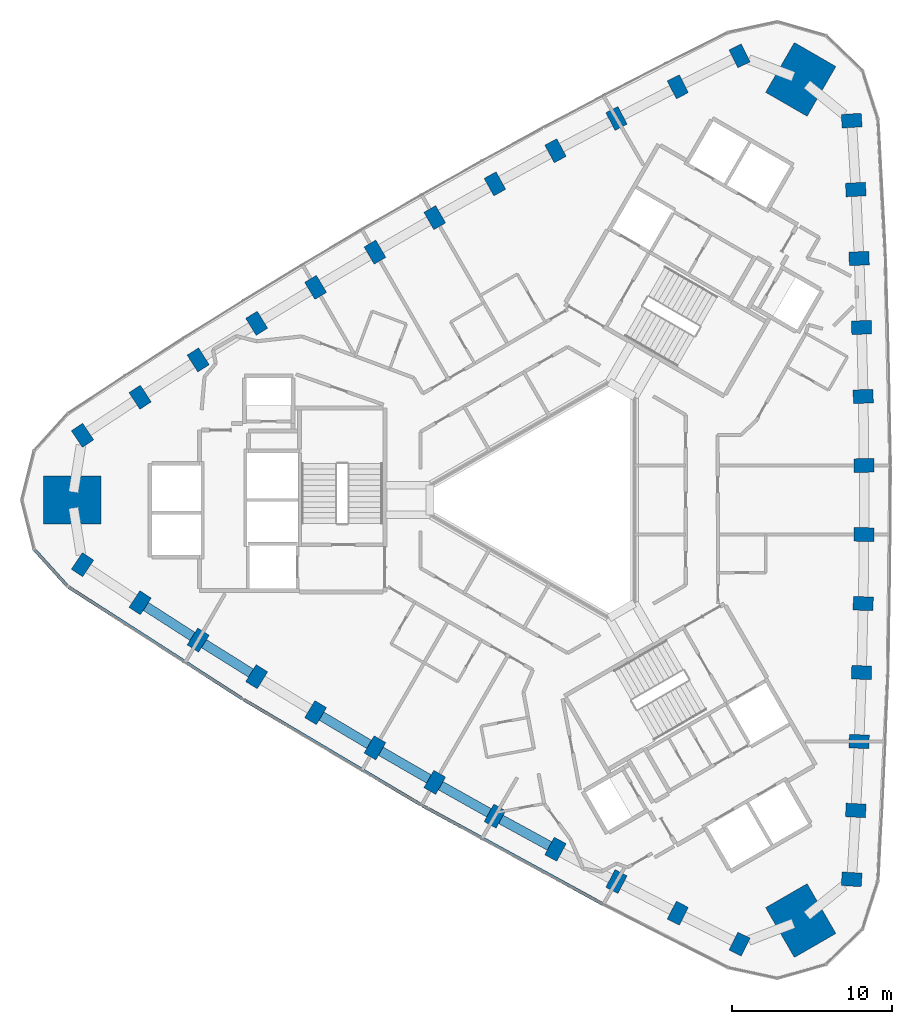
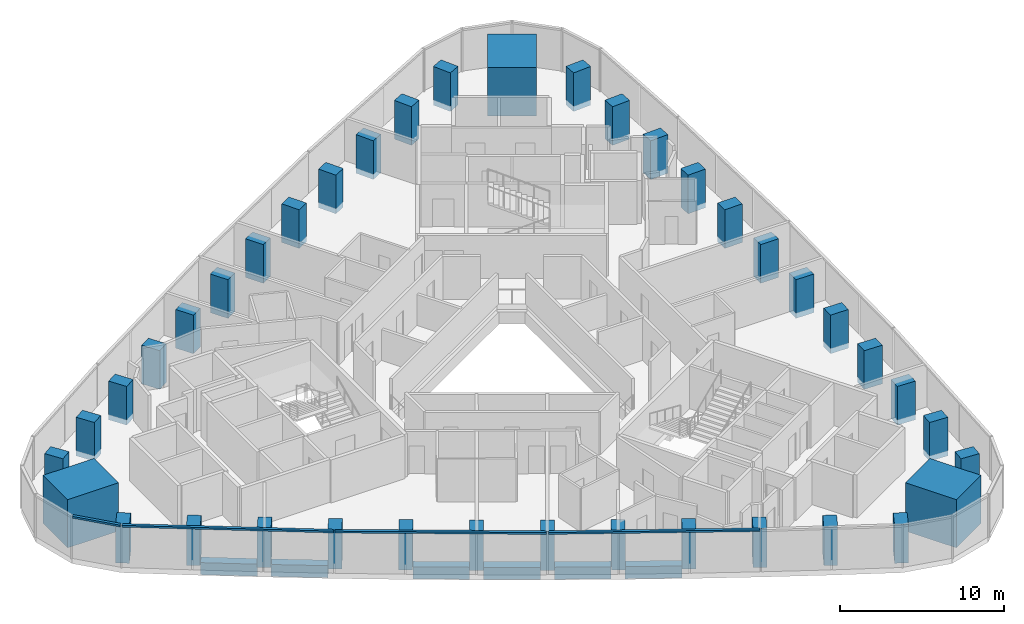
# One storey, part 1 of 13: 39 columns, 6 beams, 4 members, 2 elements without a shape of their own.
"""IFC4 building model written with IfcOpenShell, lengths in metres."""

from ifc_helpers import new_model, si_unit, direction, frame, origin, origin_2d, place, context, subcontext, project, spatial, rectangle, extrude, material, material_profile, profile_set, type_object, element, aggregate, save


model = new_model("IFC4")

# Units and contexts
model_context = context("Model", 3, precision=1e-05, world=origin(), true_north=direction((0.0, 1.0)))
body_context = subcontext(model_context, "Body", "Model", "MODEL_VIEW")
ifc_project = project(units=[si_unit("LENGTHUNIT", "METRE"), si_unit("AREAUNIT", "SQUARE_METRE"), si_unit("VOLUMEUNIT", "CUBIC_METRE"), si_unit("PLANEANGLEUNIT", "RADIAN"), si_unit("MASSUNIT", "GRAM", prefix="KILO")], contexts=[model_context])

# Site, building, storey
site_placement = place(None, origin())
site = spatial("IfcSite", under=ifc_project, at=site_placement, CompositionType="ELEMENT")
building_placement = place(site_placement, origin())
building = spatial("IfcBuilding", under=site, at=building_placement, Name="Tamra Quay Hotel Tower", CompositionType="ELEMENT")
storey_placement = place(building_placement, frame((0.0, 0.0, 161.199951171875)))
storey = spatial("IfcBuildingStorey", under=building, at=storey_placement, Name="L40", CompositionType="ELEMENT", Elevation=161.199951171875)

# Columns
ifc_material_1 = material(Name="Concrete M70", Category="concrete")
ifc_material_profile_1 = material_profile(ifc_material_1, rectangle(XDim=1.25, YDim=0.85009765625, at=origin_2d()), Name="COLUMN RC 850x1250 Z3")
ifc_profile_set_1 = profile_set([ifc_material_profile_1], Name="Concrete M70")
column_type_1 = type_object("IfcColumnType", Name="COLUMN RC 850x1250 Z3", PredefinedType="COLUMN", material=ifc_profile_set_1)
for number, where, z_axis, x_axis, name in (
    (1, (18.396728515625, -23.757080078125, -0.39990234375), (0.0, 0.0, 1.0), (-0.997857895766, 0.065418803553, 0.0), "COL-C3E01-L40"),
    (2, (18.654541015625, -19.4423828125, -0.39990234375), (0.0, 0.0, 1.0), (-0.998562324173, 0.053603029218, 0.0), "COL-C3E02-L40"),
    (3, (18.86083984375, -15.124267578125, -0.39990234375), (0.0, 0.0, 1.0), (-0.999109109653, 0.042201741775, 0.0), "COL-C3E03-L40"),
    (4, (19.015869140625, -10.8046875, -0.39990234375), (0.0, 0.0, 1.0), (-0.99955268585, 0.029906992649, 0.0), "COL-C3E04-L40"),
    (5, (19.119140625, -6.483642578125, -0.39990234375), (0.0, 0.0, 1.0), (-0.999845156469, 0.017597246518, 0.0), "COL-C3E05-L40"),
    (6, (19.1708984375, -2.1611328125, -0.39990234375), (0.0, 0.0, 1.0), (-0.999981031775, 0.006159227987, 0.0), "COL-C3E06-L40"),
    (7, (19.1708984375, 2.1611328125, -0.39990234375), (0.0, 0.0, 1.0), (0.999981031775, 0.006159227987, 0.0), "COL-C3E07-L40"),
    (8, (19.119140625, 6.483642578125, -0.39990234375), (0.0, 0.0, 1.0), (0.999845156469, 0.017597246518, 0.0), "COL-C3E08-L40"),
    (9, (19.015869140625, 10.8046875, -0.39990234375), (0.0, 0.0, 1.0), (0.99955268585, 0.029906992649, 0.0), "COL-C3E09-L40"),
    (10, (18.86083984375, 15.124267578125, -0.39990234375), (0.0, 0.0, 1.0), (0.999109109653, 0.042201741775, 0.0), "COL-C3E10-L40"),
    (11, (18.654541015625, 19.4423828125, -0.39990234375), (0.0, 0.0, 1.0), (0.998562324173, 0.053603029218, 0.0), "COL-C3E11-L40"),
    (12, (18.396728515625, 23.757080078125, -0.39990234375), (0.0, 0.0, 1.0), (0.997857895766, 0.065418803553, 0.0), "COL-C3E12-L40"),
    (13, (11.3759765625, 27.810546875, -0.39990234375), (0.0, 0.0, 1.0), (-0.44227460212, 0.896879688877, 0.0), "COL-C3NW01-L40"),
    (14, (7.51025390625, 25.87646484375, -0.39990234375), (0.0, 0.0, 1.0), (-0.452859577064, 0.891581854605, 0.0), "COL-C3NW02-L40"),
    (15, (3.66748046875, 23.896240234375, -0.39990234375), (0.0, 0.0, 1.0), (-0.463006774365, 0.886354740999, 0.0), "COL-C3NW03-L40"),
    (16, (-0.150634765625, 21.87060546875, -0.39990234375), (0.0, 0.0, 1.0), (-0.47387612754, 0.880591514692, 0.0), "COL-C3NW04-L40"),
    (17, (-3.944580078125, 19.799560546875, -0.39990234375), (0.0, 0.0, 1.0), (-0.484682915713, 0.874689928612, 0.0), "COL-C3NW05-L40"),
    (18, (-7.7138671875, 17.68310546875, -0.39990234375), (0.0, 0.0, 1.0), (-0.494656467983, 0.869088590813, 0.0), "COL-C3NW06-L40"),
    (19, (-11.45703125, 15.521728515625, -0.39990234375), (0.0, 0.0, 1.0), (-0.505324563792, 0.862929362827, 0.0), "COL-C3NW07-L40"),
    (20, (-15.174560546875, 13.31591796875, -0.39990234375), (0.0, 0.0, 1.0), (-0.515162240756, 0.857092682094, 0.0), "COL-C3NW08-L40"),
    (21, (-18.864990234375, 11.06591796875, -0.39990234375), (0.0, 0.0, 1.0), (-0.52567655831, 0.850684522043, 0.0), "COL-C3NW09-L40"),
    (22, (-22.528564453125, 8.771728515625, -0.39990234375), (0.0, 0.0, 1.0), (-0.536102335288, 0.844152999224, 0.0), "COL-C3NW10-L40"),
    (23, (-26.164794921875, 6.43408203125, -0.39990234375), (0.0, 0.0, 1.0), (-0.545702747109, 0.837978825387, 0.0), "COL-C3NW11-L40"),
    (24, (-29.772705078125, 4.053466796875, -0.39990234375), (0.0, 0.0, 1.0), (-0.555583293645, 0.831460885323, 0.0), "COL-C3NW12-L40"),
    (25, (-29.772705078125, -4.053466796875, -0.39990234375), (0.0, 0.0, 1.0), (0.555583293645, 0.831460885323, 0.0), "COL-C3SW01-L40"),
    (26, (-26.164794921875, -6.43408203125, -0.39990234375), (0.0, 0.0, 1.0), (0.545702747109, 0.837978825387, 0.0), "COL-C3SW02-L40"),
    (27, (-22.528564453125, -8.771728515625, -0.39990234375), (0.0, 0.0, 1.0), (0.536102335288, 0.844152999224, 0.0), "COL-C3SW03-L40"),
    (28, (-18.864990234375, -11.06591796875, -0.39990234375), (0.0, 0.0, 1.0), (0.52567655831, 0.850684522043, 0.0), "COL-C3SW04-L40"),
    (29, (-15.174560546875, -13.31591796875, -0.39990234375), (0.0, 0.0, 1.0), (0.515162240756, 0.857092682094, 0.0), "COL-C3SW05-L40"),
    (30, (-11.45703125, -15.521728515625, -0.39990234375), (0.0, 0.0, 1.0), (0.505324563792, 0.862929362827, 0.0), "COL-C3SW06-L40"),
    (31, (-7.7138671875, -17.68310546875, -0.39990234375), (0.0, 0.0, 1.0), (0.494656467983, 0.869088590813, 0.0), "COL-C3SW07-L40"),
    (32, (-3.944580078125, -19.799560546875, -0.39990234375), (0.0, 0.0, 1.0), (0.484682915713, 0.874689928612, 0.0), "COL-C3SW08-L40"),
    (33, (-0.150634765625, -21.87060546875, -0.39990234375), (0.0, 0.0, 1.0), (0.47387612754, 0.880591514692, 0.0), "COL-C3SW09-L40"),
    (34, (3.66748046875, -23.896240234375, -0.39990234375), (0.0, 0.0, 1.0), (0.463006774365, 0.886354740999, 0.0), "COL-C3SW10-L40"),
    (35, (7.51025390625, -25.87646484375, -0.39990234375), (0.0, 0.0, 1.0), (0.452859577064, 0.891581854605, 0.0), "COL-C3SW11-L40"),
    (36, (11.3759765625, -27.810546875, -0.39990234375), (0.0, 0.0, 1.0), (0.44227460212, 0.896879688877, 0.0), "COL-C3SW12-L40"),
):
    element("IfcColumn", number, at=place(storey_placement, frame(where, z_axis=z_axis, x_axis=x_axis)), inside=storey, type_object=column_type_1, Name=name, PredefinedType="COLUMN", context=body_context, shape_type="SweptSolid", body=[
        extrude(rectangle(XDim=1.25, YDim=0.85009765625, at=origin_2d()), origin(), (0.0, 0.0, 1.0), 2.884033203125),
    ])
ifc_material_profile_2 = material_profile(ifc_material_1, rectangle(XDim=3.60009765625, YDim=3.0, at=origin_2d()), Name="MEGA COLUMN RC 3000x3600 Z3")
ifc_profile_set_2 = profile_set([ifc_material_profile_2], Name="Concrete M70")
column_type_2 = type_object("IfcColumnType", Name="MEGA COLUMN RC 3000x3600 Z3", PredefinedType="COLUMN", material=ifc_profile_set_2)
for number, where, z_axis, x_axis, name in (
    (37, (15.20703125, 26.339599609375, -0.39990234375), (0.0, 0.0, 1.0), (0.5, 0.866025403784, 0.0), "COL-M3NE-L40"),
    (38, (-30.414306640625, 0.0, -0.39990234375), (0.0, 0.0, 1.0), (1.0, 0.0, 0.0), "COL-M3W-L40"),
    (39, (15.20703125, -26.339599609375, -0.39990234375), (0.0, 0.0, 1.0), (-0.5, 0.866025403784, 0.0), "COL-M3SE-L40"),
):
    element("IfcColumn", number, at=place(storey_placement, frame(where, z_axis=z_axis, x_axis=x_axis)), inside=storey, type_object=column_type_2, Name=name, PredefinedType="COLUMN", context=body_context, shape_type="SweptSolid", body=[
        extrude(rectangle(XDim=3.60009765625, YDim=3.0, at=origin_2d()), origin(), (0.0, 0.0, 1.0), 3.599853515625),
    ])

# Beams
ifc_material_2 = material(Name="Concrete M60", Category="concrete")
ifc_material_profile_3 = material_profile(ifc_material_2, rectangle(XDim=0.60009765625, YDim=0.89990234375, at=origin_2d()), Name="SPANDREL BEAM RC 600x900")
ifc_profile_set_3 = profile_set([ifc_material_profile_3], Name="Concrete M60")
beam_type = type_object("IfcBeamType", Name="SPANDREL BEAM RC 600x900", PredefinedType="SPANDREL", material=ifc_profile_set_3)
beam_1_placement = place(storey_placement, frame((-25.807373046875, -6.663818359375, -0.849853515625), z_axis=(0.84116020305, -0.540786013878, 0.0), x_axis=(0.540786013878, 0.84116020305, 0.0)))
element("IfcBeam", 40, at=beam_1_placement, inside=storey, type_object=beam_type, Name="BM-SP3-027-L40", PredefinedType="SPANDREL", context=body_context, shape_type="SweptSolid", body=[
    extrude(rectangle(XDim=0.60009765625, YDim=0.89990234375, at=origin_2d()), origin(), (0.0, 0.0, 1.0), 3.47314453125),
])
beam_2_placement = place(storey_placement, frame((-22.168212890625, -8.997314453125, -0.849853515625), z_axis=(0.847547681474, -0.530719255, 0.0), x_axis=(0.530719255, 0.847547681474, 0.0)))
element("IfcBeam", 41, at=beam_2_placement, inside=storey, type_object=beam_type, Name="BM-SP3-028-L40", PredefinedType="SPANDREL", context=body_context, shape_type="SweptSolid", body=[
    extrude(rectangle(XDim=0.60009765625, YDim=0.89990234375, at=origin_2d()), origin(), (0.0, 0.0, 1.0), 3.47216796875),
])
beam_3_placement = place(storey_placement, frame((-14.80908203125, -13.53271484375, -0.849853515625), z_axis=(0.859988767784, -0.510312962098, 0.0), x_axis=(0.510312962098, 0.859988767784, 0.0)))
element("IfcBeam", 42, at=beam_3_placement, inside=storey, type_object=beam_type, Name="BM-SP3-030-L40", PredefinedType="SPANDREL", context=body_context, shape_type="SweptSolid", body=[
    extrude(rectangle(XDim=0.60009765625, YDim=0.89990234375, at=origin_2d()), origin(), (0.0, 0.0, 1.0), 3.472900390625),
])
beam_4_placement = place(storey_placement, frame((-11.0888671875, -15.734375, -0.849853515625), z_axis=(0.866032201241, -0.499988226275, 0.0), x_axis=(0.499988226275, 0.866032201241, 0.0)))
element("IfcBeam", 43, at=beam_4_placement, inside=storey, type_object=beam_type, Name="BM-SP3-031-L40", PredefinedType="SPANDREL", context=body_context, shape_type="SweptSolid", body=[
    extrude(rectangle(XDim=0.60009765625, YDim=0.89990234375, at=origin_2d()), origin(), (0.0, 0.0, 1.0), 3.47216796875),
])
beam_5_placement = place(storey_placement, frame((-7.34326171875, -17.89111328125, -0.849853515625), z_axis=(0.871956406858, -0.489583521516, 0.0), x_axis=(0.489583521516, 0.871956406858, 0.0)))
element("IfcBeam", 44, at=beam_5_placement, inside=storey, type_object=beam_type, Name="BM-SP3-032-L40", PredefinedType="SPANDREL", context=body_context, shape_type="SweptSolid", body=[
    extrude(rectangle(XDim=0.60009765625, YDim=0.89990234375, at=origin_2d()), origin(), (0.0, 0.0, 1.0), 3.47265625),
])
beam_6_placement = place(storey_placement, frame((-3.571533203125, -20.003173828125, -0.849853515625), z_axis=(0.877731617539, -0.479152593202, 0.0), x_axis=(0.479152593202, 0.877731617539, 0.0)))
element("IfcBeam", 45, at=beam_6_placement, inside=storey, type_object=beam_type, Name="BM-SP3-033-L40", PredefinedType="SPANDREL", context=body_context, shape_type="SweptSolid", body=[
    extrude(rectangle(XDim=0.60009765625, YDim=0.89990234375, at=origin_2d()), origin(), (0.0, 0.0, 1.0), 3.472412109375),
])

# Curtain wall, member
ifc_material_3 = material(Name="Aluminium 6063 anodised dark grey", Category="aluminium")
curtain_wall_type_1 = type_object("IfcCurtainWallType", Name="CW2 CURTAIN WALL", PredefinedType="NOTDEFINED", material=ifc_material_3)
curtain_wall_1_placement = place(storey_placement, origin())
curtain_wall_1 = element("IfcCurtainWall", 46, at=curtain_wall_1_placement, inside=storey, type_object=curtain_wall_type_1, Name="CW2 north-west face L40", PredefinedType="NOTDEFINED")
ifc_material_profile_4 = material_profile(ifc_material_3, rectangle(XDim=0.199951171875, YDim=0.139892578125, at=origin_2d()), Name="TRANSOM 200X140")
ifc_profile_set_4 = profile_set([ifc_material_profile_4], Name="Aluminium 6063 anodised dark grey")
member_type_1 = type_object("IfcMemberType", Name="TRANSOM CW2 Z3", PredefinedType="USERDEFINED", material=ifc_profile_set_4)
member_1_placement = place(storey_placement, frame((-32.784423828125, -3.1123046875, 3.130126953125), z_axis=(0.671548073699, -0.740960987307, 0.0), x_axis=(0.740960987307, 0.671548073699, 0.0)))
member_1 = element("IfcMember", 47, at=member_1_placement, type_object=member_type_1, Name="CW2 transom L40.NW.15", ObjectType="TRANSOM", PredefinedType="USERDEFINED", context=body_context, shape_type="SweptSolid", body=[
    extrude(rectangle(XDim=0.199951171875, YDim=0.139892578125, at=origin_2d()), origin(), (0.0, 0.0, 1.0), 3.070556640625),
])
aggregate(curtain_wall_1, [member_1])

# Curtain wall, members
curtain_wall_type_2 = type_object("IfcCurtainWallType", Name="CW3 CURTAIN WALL", PredefinedType="NOTDEFINED", material=ifc_material_3)
curtain_wall_2_placement = place(storey_placement, origin())
curtain_wall_2 = element("IfcCurtainWall", 48, at=curtain_wall_2_placement, inside=storey, type_object=curtain_wall_type_2, Name="CW3 south-west face L40", PredefinedType="NOTDEFINED")
ifc_material_profile_5 = material_profile(ifc_material_3, rectangle(XDim=0.199951171875, YDim=0.139892578125, at=origin_2d()), Name="TRANSOM 200X140")
ifc_profile_set_5 = profile_set([ifc_material_profile_5], Name="Aluminium 6063 anodised dark grey")
member_type_2 = type_object("IfcMemberType", Name="TRANSOM CW3 Z3", PredefinedType="USERDEFINED", material=ifc_profile_set_5)
member_2_placement = place(storey_placement, frame((-30.647216796875, -5.451904296875, 3.130126953125), z_axis=(0.841166815222, -0.540775728901, 0.0), x_axis=(0.540775728901, 0.841166815222, 0.0)))
member_2 = element("IfcMember", 49, at=member_2_placement, type_object=member_type_2, Name="CW3 transom L40.SW.1", ObjectType="TRANSOM", PredefinedType="USERDEFINED", context=body_context, shape_type="SweptSolid", body=[
    extrude(rectangle(XDim=0.199951171875, YDim=0.139892578125, at=origin_2d()), origin(), (0.0, 0.0, 1.0), 12.92578125),
])
member_3_placement = place(storey_placement, frame((-19.689208984375, -12.49462890625, 3.130126953125), z_axis=(0.859989187886, -0.510312254134, 0.0), x_axis=(0.510312254134, 0.859989187886, 0.0)))
member_3 = element("IfcMember", 50, at=member_3_placement, type_object=member_type_2, Name="CW3 transom L40.SW.4", ObjectType="TRANSOM", PredefinedType="USERDEFINED", context=body_context, shape_type="SweptSolid", body=[
    extrude(rectangle(XDim=0.199951171875, YDim=0.139892578125, at=origin_2d()), origin(), (0.0, 0.0, 1.0), 12.92626953125),
])
member_4_placement = place(storey_placement, frame((-8.48583984375, -19.140625, 3.130126953125), z_axis=(0.877731670987, -0.479152495293, 0.0), x_axis=(0.479152495293, 0.877731670987, 0.0)))
member_4 = element("IfcMember", 51, at=member_4_placement, type_object=member_type_2, Name="CW3 transom L40.SW.7", ObjectType="TRANSOM", PredefinedType="USERDEFINED", context=body_context, shape_type="SweptSolid", body=[
    extrude(rectangle(XDim=0.199951171875, YDim=0.139892578125, at=origin_2d()), origin(), (0.0, 0.0, 1.0), 12.92626953125),
])
aggregate(curtain_wall_2, [member_2, member_3, member_4])

save(model, "model.ifc")
